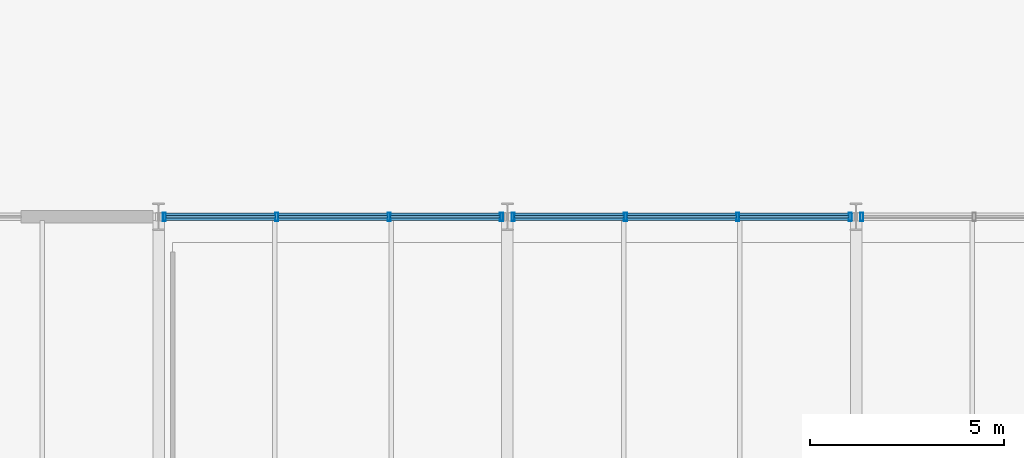
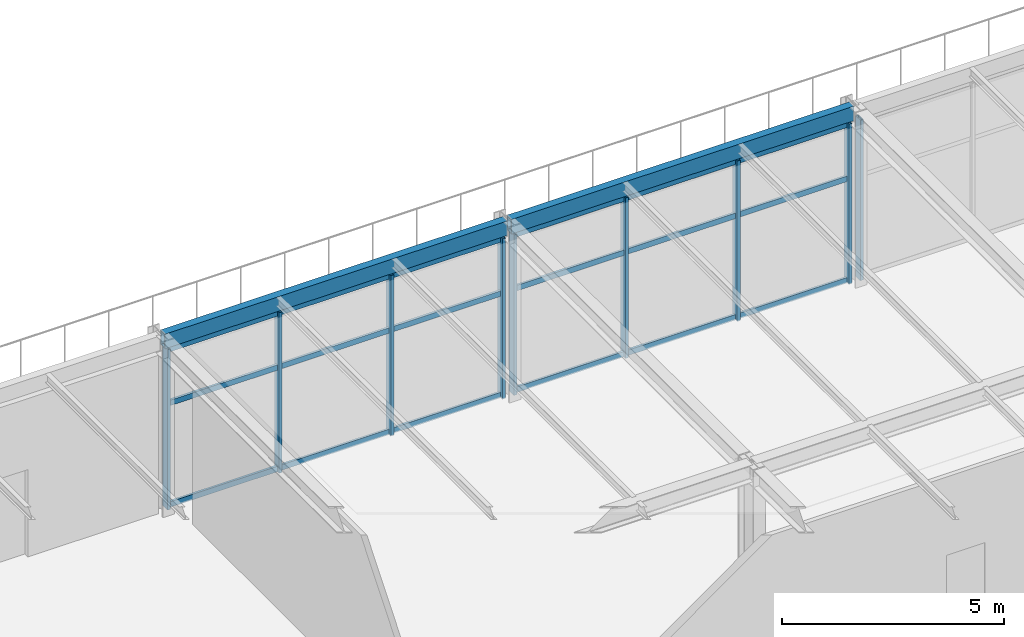
# One storey, part 67 of 143: 27 members, 2 beams, 3 elements without a shape of their own.
"""IFC4 building model written with IfcOpenShell, lengths in metres."""

from ifc_helpers import new_model, si_unit, direction, frame, origin, origin_2d, place, context, subcontext, project, spatial, hollow_rectangle, extrude, material, layer, layer_set, material_profile, profile_set, type_object, element, aggregate, save


model = new_model("IFC4")

# Units and contexts
model_context = context("Model", 3, precision=1e-05, world=origin(), true_north=direction((0.0, 1.0)))
body_context = subcontext(model_context, "Body", "Model", "MODEL_VIEW")
ifc_project = project(units=[si_unit("LENGTHUNIT", "METRE"), si_unit("AREAUNIT", "SQUARE_METRE"), si_unit("VOLUMEUNIT", "CUBIC_METRE"), si_unit("PLANEANGLEUNIT", "RADIAN"), si_unit("MASSUNIT", "GRAM", prefix="KILO")], contexts=[model_context])

# Site, building, storey
site_placement = place(None, origin())
site = spatial("IfcSite", under=ifc_project, at=site_placement, CompositionType="ELEMENT")
building_placement = place(site_placement, origin())
building = spatial("IfcBuilding", under=site, at=building_placement, Name="Marlcrest Central Station", CompositionType="ELEMENT")
storey_placement = place(building_placement, frame((0.0, 0.0, 4.800048828125)))
storey = spatial("IfcBuildingStorey", under=building, at=storey_placement, Name="L01", CompositionType="ELEMENT", Elevation=4.800048828125)

# Curtain wall, members
ifc_material_1 = material(Name="Anodised aluminium and hurricane laminated glass", Category="aluminium")
ifc_layer = layer(ifc_material_1, 0.219970703125, Name="CW-U1")
ifc_layer_set = layer_set([ifc_layer], Name="Anodised aluminium and hurricane laminated glass")
curtain_wall_type = type_object("IfcCurtainWallType", Name="CW-U1", PredefinedType="USERDEFINED", material=ifc_layer_set)
curtain_wall_1_placement = place(storey_placement, origin())
curtain_wall_1 = element("IfcCurtainWall", 1, at=curtain_wall_1_placement, inside=storey, type_object=curtain_wall_type, Name="cw-L01-0156", ObjectType="UNITISED_CURTAIN_WALL", PredefinedType="USERDEFINED")
ifc_material_2 = material(Name="Anodised aluminium 6063-T6", Category="aluminium")
ifc_material_profile_1 = material_profile(ifc_material_2, hollow_rectangle(XDim=0.080078125, YDim=0.219970703125, WallThickness=0.006103515625, at=origin_2d()), Name="AA-RHS 220x80x6")
ifc_profile_set_1 = profile_set([ifc_material_profile_1], Name="Anodised aluminium 6063-T6")
member_type_1 = type_object("IfcMemberType", Name="ML-01", PredefinedType="MULLION", material=ifc_profile_set_1)
member_1_placement = place(storey_placement, frame((54.14990234375, 132.0, -0.030029296875), z_axis=(0.0, 0.0, 1.0), x_axis=(1.0, 0.0, 0.0)))
member_1 = element("IfcMember", 2, at=member_1_placement, type_object=member_type_1, Name="cw-L01-0156-ml-0", PredefinedType="MULLION", context=body_context, shape_type="SweptSolid", body=[
    extrude(hollow_rectangle(XDim=0.080078125, YDim=0.219970703125, WallThickness=0.006103515625, at=origin_2d()), origin(), (0.0, 0.0, 1.0), 4.409912109375),
])
member_2_placement = place(storey_placement, frame((57.050048828125, 132.0, -0.030029296875), z_axis=(0.0, 0.0, 1.0), x_axis=(1.0, 0.0, 0.0)))
member_2 = element("IfcMember", 3, at=member_2_placement, type_object=member_type_1, Name="cw-L01-0156-ml-1", PredefinedType="MULLION", context=body_context, shape_type="SweptSolid", body=[
    extrude(hollow_rectangle(XDim=0.080078125, YDim=0.219970703125, WallThickness=0.006103515625, at=origin_2d()), origin(), (0.0, 0.0, 1.0), 4.409912109375),
])
member_3_placement = place(storey_placement, frame((59.949951171875, 132.0, -0.030029296875), z_axis=(0.0, 0.0, 1.0), x_axis=(1.0, 0.0, 0.0)))
member_3 = element("IfcMember", 4, at=member_3_placement, type_object=member_type_1, Name="cw-L01-0156-ml-2", PredefinedType="MULLION", context=body_context, shape_type="SweptSolid", body=[
    extrude(hollow_rectangle(XDim=0.080078125, YDim=0.219970703125, WallThickness=0.006103515625, at=origin_2d()), origin(), (0.0, 0.0, 1.0), 4.409912109375),
])
member_4_placement = place(storey_placement, frame((62.85009765625, 132.0, -0.030029296875), z_axis=(0.0, 0.0, 1.0), x_axis=(1.0, 0.0, 0.0)))
member_4 = element("IfcMember", 5, at=member_4_placement, type_object=member_type_1, Name="cw-L01-0156-ml-3", PredefinedType="MULLION", context=body_context, shape_type="SweptSolid", body=[
    extrude(hollow_rectangle(XDim=0.080078125, YDim=0.219970703125, WallThickness=0.006103515625, at=origin_2d()), origin(), (0.0, 0.0, 1.0), 4.409912109375),
])

curtain_wall_2_placement = place(storey_placement, origin())
curtain_wall_2 = element("IfcCurtainWall", 6, at=curtain_wall_2_placement, inside=storey, type_object=curtain_wall_type, Name="cw-L01-0157", ObjectType="UNITISED_CURTAIN_WALL", PredefinedType="USERDEFINED")
member_5_placement = place(storey_placement, frame((63.14990234375, 132.0, -0.030029296875), z_axis=(0.0, 0.0, 1.0), x_axis=(1.0, 0.0, 0.0)))
member_5 = element("IfcMember", 7, at=member_5_placement, type_object=member_type_1, Name="cw-L01-0157-ml-0", PredefinedType="MULLION", context=body_context, shape_type="SweptSolid", body=[
    extrude(hollow_rectangle(XDim=0.080078125, YDim=0.219970703125, WallThickness=0.006103515625, at=origin_2d()), origin(), (0.0, 0.0, 1.0), 4.409912109375),
])
member_6_placement = place(storey_placement, frame((66.050048828125, 132.0, -0.030029296875), z_axis=(0.0, 0.0, 1.0), x_axis=(1.0, 0.0, 0.0)))
member_6 = element("IfcMember", 8, at=member_6_placement, type_object=member_type_1, Name="cw-L01-0157-ml-1", PredefinedType="MULLION", context=body_context, shape_type="SweptSolid", body=[
    extrude(hollow_rectangle(XDim=0.080078125, YDim=0.219970703125, WallThickness=0.006103515625, at=origin_2d()), origin(), (0.0, 0.0, 1.0), 4.409912109375),
])
member_7_placement = place(storey_placement, frame((68.949951171875, 132.0, -0.030029296875), z_axis=(0.0, 0.0, 1.0), x_axis=(1.0, 0.0, 0.0)))
member_7 = element("IfcMember", 9, at=member_7_placement, type_object=member_type_1, Name="cw-L01-0157-ml-2", PredefinedType="MULLION", context=body_context, shape_type="SweptSolid", body=[
    extrude(hollow_rectangle(XDim=0.080078125, YDim=0.219970703125, WallThickness=0.006103515625, at=origin_2d()), origin(), (0.0, 0.0, 1.0), 4.409912109375),
])
member_8_placement = place(storey_placement, frame((71.85009765625, 132.0, -0.030029296875), z_axis=(0.0, 0.0, 1.0), x_axis=(1.0, 0.0, 0.0)))
member_8 = element("IfcMember", 10, at=member_8_placement, type_object=member_type_1, Name="cw-L01-0157-ml-3", PredefinedType="MULLION", context=body_context, shape_type="SweptSolid", body=[
    extrude(hollow_rectangle(XDim=0.080078125, YDim=0.219970703125, WallThickness=0.006103515625, at=origin_2d()), origin(), (0.0, 0.0, 1.0), 4.409912109375),
])

# Curtain wall, member
curtain_wall_3_placement = place(storey_placement, origin())
curtain_wall_3 = element("IfcCurtainWall", 11, at=curtain_wall_3_placement, inside=storey, type_object=curtain_wall_type, Name="cw-L01-0158", ObjectType="UNITISED_CURTAIN_WALL", PredefinedType="USERDEFINED")
member_9_placement = place(storey_placement, frame((72.14990234375, 132.0, -0.030029296875), z_axis=(0.0, 0.0, 1.0), x_axis=(1.0, 0.0, 0.0)))
member_9 = element("IfcMember", 12, at=member_9_placement, type_object=member_type_1, Name="cw-L01-0158-ml-0", PredefinedType="MULLION", context=body_context, shape_type="SweptSolid", body=[
    extrude(hollow_rectangle(XDim=0.080078125, YDim=0.219970703125, WallThickness=0.006103515625, at=origin_2d()), origin(), (0.0, 0.0, 1.0), 4.409912109375),
])
aggregate(curtain_wall_3, [member_9])

# Beams
ifc_material_3 = material(Name="Steel S355", Category="steel")
ifc_material_profile_2 = material_profile(ifc_material_3, hollow_rectangle(XDim=0.199951171875, YDim=0.39990234375, WallThickness=0.01611328125, at=origin_2d()), Name="RHS 400x200x16")
ifc_profile_set_2 = profile_set([ifc_material_profile_2], Name="Steel S355")
beam_type = type_object("IfcBeamType", Name="SP-01", PredefinedType="SPANDREL", material=ifc_profile_set_2)
for number, where, z_axis, x_axis, name in (
    (13, (54.050048828125, 132.0, 4.619873046875), (1.0, 0.0, 0.0), (0.0, 1.0, 0.0), "bm-SP-01-L01-00261"),
    (14, (63.050048828125, 132.0, 4.619873046875), (1.0, 0.0, 0.0), (0.0, 1.0, 0.0), "bm-SP-01-L01-00262"),
):
    element("IfcBeam", number, at=place(storey_placement, frame(where, z_axis=z_axis, x_axis=x_axis)), inside=storey, type_object=beam_type, Name=name, PredefinedType="SPANDREL", context=body_context, shape_type="SweptSolid", body=[
        extrude(hollow_rectangle(XDim=0.199951171875, YDim=0.39990234375, WallThickness=0.01611328125, at=origin_2d()), origin(), (0.0, 0.0, 1.0), 8.89990234375),
    ])

# Member
ifc_material_profile_3 = material_profile(ifc_material_2, hollow_rectangle(XDim=0.06005859375, YDim=0.14990234375, WallThickness=0.00390625, at=origin_2d()), Name="AA-RHS 150x60x4")
ifc_profile_set_3 = profile_set([ifc_material_profile_3], Name="Anodised aluminium 6063-T6")
member_type_2 = type_object("IfcMemberType", Name="TR-01", PredefinedType="USERDEFINED", material=ifc_profile_set_3)
member_10_placement = place(storey_placement, frame((54.18798828125, 132.0, 0.0400390625), z_axis=(1.0, 0.0, 0.0), x_axis=(0.0, 1.0, 0.0)))
member_10 = element("IfcMember", 15, at=member_10_placement, type_object=member_type_2, Name="cw-L01-0156-tr-0-sill", ObjectType="TRANSOM", PredefinedType="USERDEFINED", context=body_context, shape_type="SweptSolid", body=[
    extrude(hollow_rectangle(XDim=0.06005859375, YDim=0.14990234375, WallThickness=0.00390625, at=origin_2d()), origin(), (0.0, 0.0, 1.0), 2.823974609375),
])

member_11_placement = place(storey_placement, frame((54.18798828125, 132.0, 2.827880859375), z_axis=(1.0, 0.0, 0.0), x_axis=(0.0, 1.0, 0.0)))
member_11 = element("IfcMember", 16, at=member_11_placement, type_object=member_type_2, Name="cw-L01-0156-tr-0-mid", ObjectType="TRANSOM", PredefinedType="USERDEFINED", context=body_context, shape_type="SweptSolid", body=[
    extrude(hollow_rectangle(XDim=0.06005859375, YDim=0.14990234375, WallThickness=0.00390625, at=origin_2d()), origin(), (0.0, 0.0, 1.0), 2.823974609375),
])

member_12_placement = place(storey_placement, frame((54.18798828125, 132.0, 4.31005859375), z_axis=(1.0, 0.0, 0.0), x_axis=(0.0, 1.0, 0.0)))
member_12 = element("IfcMember", 17, at=member_12_placement, type_object=member_type_2, Name="cw-L01-0156-tr-0-head", ObjectType="TRANSOM", PredefinedType="USERDEFINED", context=body_context, shape_type="SweptSolid", body=[
    extrude(hollow_rectangle(XDim=0.06005859375, YDim=0.14990234375, WallThickness=0.00390625, at=origin_2d()), origin(), (0.0, 0.0, 1.0), 2.823974609375),
])

member_13_placement = place(storey_placement, frame((57.087890625, 132.0, 0.0400390625), z_axis=(1.0, 0.0, 0.0), x_axis=(0.0, 1.0, 0.0)))
member_13 = element("IfcMember", 18, at=member_13_placement, type_object=member_type_2, Name="cw-L01-0156-tr-1-sill", ObjectType="TRANSOM", PredefinedType="USERDEFINED", context=body_context, shape_type="SweptSolid", body=[
    extrude(hollow_rectangle(XDim=0.06005859375, YDim=0.14990234375, WallThickness=0.00390625, at=origin_2d()), origin(), (0.0, 0.0, 1.0), 2.82421875),
])

member_14_placement = place(storey_placement, frame((57.087890625, 132.0, 2.827880859375), z_axis=(1.0, 0.0, 0.0), x_axis=(0.0, 1.0, 0.0)))
member_14 = element("IfcMember", 19, at=member_14_placement, type_object=member_type_2, Name="cw-L01-0156-tr-1-mid", ObjectType="TRANSOM", PredefinedType="USERDEFINED", context=body_context, shape_type="SweptSolid", body=[
    extrude(hollow_rectangle(XDim=0.06005859375, YDim=0.14990234375, WallThickness=0.00390625, at=origin_2d()), origin(), (0.0, 0.0, 1.0), 2.82421875),
])

member_15_placement = place(storey_placement, frame((57.087890625, 132.0, 4.31005859375), z_axis=(1.0, 0.0, 0.0), x_axis=(0.0, 1.0, 0.0)))
member_15 = element("IfcMember", 20, at=member_15_placement, type_object=member_type_2, Name="cw-L01-0156-tr-1-head", ObjectType="TRANSOM", PredefinedType="USERDEFINED", context=body_context, shape_type="SweptSolid", body=[
    extrude(hollow_rectangle(XDim=0.06005859375, YDim=0.14990234375, WallThickness=0.00390625, at=origin_2d()), origin(), (0.0, 0.0, 1.0), 2.82421875),
])

member_16_placement = place(storey_placement, frame((59.988037109375, 132.0, 0.0400390625), z_axis=(1.0, 0.0, 0.0), x_axis=(0.0, 1.0, 0.0)))
member_16 = element("IfcMember", 21, at=member_16_placement, type_object=member_type_2, Name="cw-L01-0156-tr-2-sill", ObjectType="TRANSOM", PredefinedType="USERDEFINED", context=body_context, shape_type="SweptSolid", body=[
    extrude(hollow_rectangle(XDim=0.06005859375, YDim=0.14990234375, WallThickness=0.00390625, at=origin_2d()), origin(), (0.0, 0.0, 1.0), 2.823974609375),
])

member_17_placement = place(storey_placement, frame((59.988037109375, 132.0, 2.827880859375), z_axis=(1.0, 0.0, 0.0), x_axis=(0.0, 1.0, 0.0)))
member_17 = element("IfcMember", 22, at=member_17_placement, type_object=member_type_2, Name="cw-L01-0156-tr-2-mid", ObjectType="TRANSOM", PredefinedType="USERDEFINED", context=body_context, shape_type="SweptSolid", body=[
    extrude(hollow_rectangle(XDim=0.06005859375, YDim=0.14990234375, WallThickness=0.00390625, at=origin_2d()), origin(), (0.0, 0.0, 1.0), 2.823974609375),
])

member_18_placement = place(storey_placement, frame((59.988037109375, 132.0, 4.31005859375), z_axis=(1.0, 0.0, 0.0), x_axis=(0.0, 1.0, 0.0)))
member_18 = element("IfcMember", 23, at=member_18_placement, type_object=member_type_2, Name="cw-L01-0156-tr-2-head", ObjectType="TRANSOM", PredefinedType="USERDEFINED", context=body_context, shape_type="SweptSolid", body=[
    extrude(hollow_rectangle(XDim=0.06005859375, YDim=0.14990234375, WallThickness=0.00390625, at=origin_2d()), origin(), (0.0, 0.0, 1.0), 2.823974609375),
])

aggregate(curtain_wall_1, [member_1, member_2, member_3, member_4, member_10, member_11, member_12, member_13, member_14, member_15, member_16, member_17, member_18])

member_19_placement = place(storey_placement, frame((63.18798828125, 132.0, 0.0400390625), z_axis=(1.0, 0.0, 0.0), x_axis=(0.0, 1.0, 0.0)))
member_19 = element("IfcMember", 24, at=member_19_placement, type_object=member_type_2, Name="cw-L01-0157-tr-0-sill", ObjectType="TRANSOM", PredefinedType="USERDEFINED", context=body_context, shape_type="SweptSolid", body=[
    extrude(hollow_rectangle(XDim=0.06005859375, YDim=0.14990234375, WallThickness=0.00390625, at=origin_2d()), origin(), (0.0, 0.0, 1.0), 2.823974609375),
])

member_20_placement = place(storey_placement, frame((63.18798828125, 132.0, 2.827880859375), z_axis=(1.0, 0.0, 0.0), x_axis=(0.0, 1.0, 0.0)))
member_20 = element("IfcMember", 25, at=member_20_placement, type_object=member_type_2, Name="cw-L01-0157-tr-0-mid", ObjectType="TRANSOM", PredefinedType="USERDEFINED", context=body_context, shape_type="SweptSolid", body=[
    extrude(hollow_rectangle(XDim=0.06005859375, YDim=0.14990234375, WallThickness=0.00390625, at=origin_2d()), origin(), (0.0, 0.0, 1.0), 2.823974609375),
])

member_21_placement = place(storey_placement, frame((63.18798828125, 132.0, 4.31005859375), z_axis=(1.0, 0.0, 0.0), x_axis=(0.0, 1.0, 0.0)))
member_21 = element("IfcMember", 26, at=member_21_placement, type_object=member_type_2, Name="cw-L01-0157-tr-0-head", ObjectType="TRANSOM", PredefinedType="USERDEFINED", context=body_context, shape_type="SweptSolid", body=[
    extrude(hollow_rectangle(XDim=0.06005859375, YDim=0.14990234375, WallThickness=0.00390625, at=origin_2d()), origin(), (0.0, 0.0, 1.0), 2.823974609375),
])

member_22_placement = place(storey_placement, frame((66.087890625, 132.0, 0.0400390625), z_axis=(1.0, 0.0, 0.0), x_axis=(0.0, 1.0, 0.0)))
member_22 = element("IfcMember", 27, at=member_22_placement, type_object=member_type_2, Name="cw-L01-0157-tr-1-sill", ObjectType="TRANSOM", PredefinedType="USERDEFINED", context=body_context, shape_type="SweptSolid", body=[
    extrude(hollow_rectangle(XDim=0.06005859375, YDim=0.14990234375, WallThickness=0.00390625, at=origin_2d()), origin(), (0.0, 0.0, 1.0), 2.82421875),
])

member_23_placement = place(storey_placement, frame((66.087890625, 132.0, 2.827880859375), z_axis=(1.0, 0.0, 0.0), x_axis=(0.0, 1.0, 0.0)))
member_23 = element("IfcMember", 28, at=member_23_placement, type_object=member_type_2, Name="cw-L01-0157-tr-1-mid", ObjectType="TRANSOM", PredefinedType="USERDEFINED", context=body_context, shape_type="SweptSolid", body=[
    extrude(hollow_rectangle(XDim=0.06005859375, YDim=0.14990234375, WallThickness=0.00390625, at=origin_2d()), origin(), (0.0, 0.0, 1.0), 2.82421875),
])

member_24_placement = place(storey_placement, frame((66.087890625, 132.0, 4.31005859375), z_axis=(1.0, 0.0, 0.0), x_axis=(0.0, 1.0, 0.0)))
member_24 = element("IfcMember", 29, at=member_24_placement, type_object=member_type_2, Name="cw-L01-0157-tr-1-head", ObjectType="TRANSOM", PredefinedType="USERDEFINED", context=body_context, shape_type="SweptSolid", body=[
    extrude(hollow_rectangle(XDim=0.06005859375, YDim=0.14990234375, WallThickness=0.00390625, at=origin_2d()), origin(), (0.0, 0.0, 1.0), 2.82421875),
])

member_25_placement = place(storey_placement, frame((68.988037109375, 132.0, 0.0400390625), z_axis=(1.0, 0.0, 0.0), x_axis=(0.0, 1.0, 0.0)))
member_25 = element("IfcMember", 30, at=member_25_placement, type_object=member_type_2, Name="cw-L01-0157-tr-2-sill", ObjectType="TRANSOM", PredefinedType="USERDEFINED", context=body_context, shape_type="SweptSolid", body=[
    extrude(hollow_rectangle(XDim=0.06005859375, YDim=0.14990234375, WallThickness=0.00390625, at=origin_2d()), origin(), (0.0, 0.0, 1.0), 2.823974609375),
])

member_26_placement = place(storey_placement, frame((68.988037109375, 132.0, 2.827880859375), z_axis=(1.0, 0.0, 0.0), x_axis=(0.0, 1.0, 0.0)))
member_26 = element("IfcMember", 31, at=member_26_placement, type_object=member_type_2, Name="cw-L01-0157-tr-2-mid", ObjectType="TRANSOM", PredefinedType="USERDEFINED", context=body_context, shape_type="SweptSolid", body=[
    extrude(hollow_rectangle(XDim=0.06005859375, YDim=0.14990234375, WallThickness=0.00390625, at=origin_2d()), origin(), (0.0, 0.0, 1.0), 2.823974609375),
])

member_27_placement = place(storey_placement, frame((68.988037109375, 132.0, 4.31005859375), z_axis=(1.0, 0.0, 0.0), x_axis=(0.0, 1.0, 0.0)))
member_27 = element("IfcMember", 32, at=member_27_placement, type_object=member_type_2, Name="cw-L01-0157-tr-2-head", ObjectType="TRANSOM", PredefinedType="USERDEFINED", context=body_context, shape_type="SweptSolid", body=[
    extrude(hollow_rectangle(XDim=0.06005859375, YDim=0.14990234375, WallThickness=0.00390625, at=origin_2d()), origin(), (0.0, 0.0, 1.0), 2.823974609375),
])

aggregate(curtain_wall_2, [member_5, member_6, member_7, member_8, member_19, member_20, member_21, member_22, member_23, member_24, member_25, member_26, member_27])

save(model, "model.ifc")
